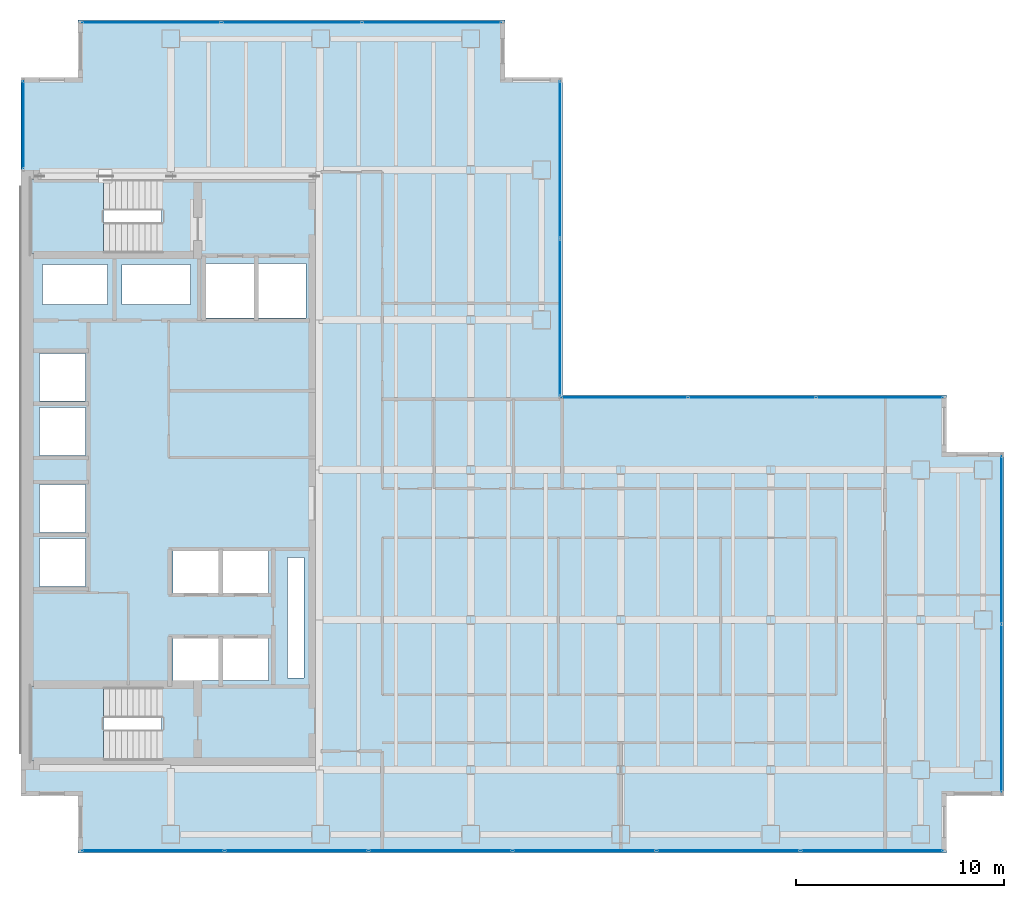
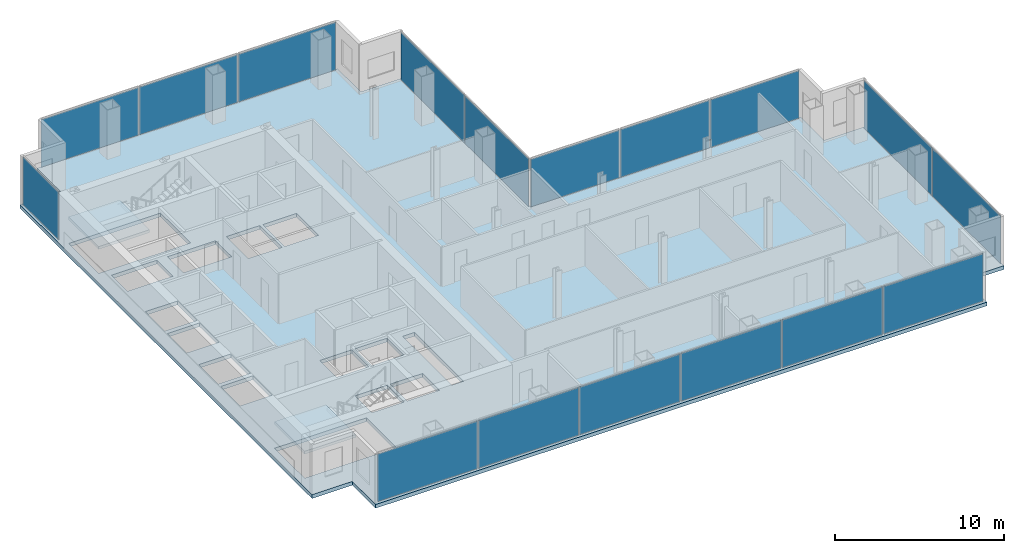
# One storey, part 19 of 24: 17 plates, 3 slabs, 15 openings, 8 elements without a shape of their own.
"""IFC4 building model written with IfcOpenShell, lengths in metres."""

from ifc_helpers import new_model, si_unit, direction, frame, origin, origin_2d, place, context, subcontext, project, spatial, polyline, rectangle, outline, extrude, material, layer, layer_set, type_object, element, aggregate, save


model = new_model("IFC4")

# Units and contexts
model_context = context("Model", 3, precision=1e-05, world=origin(), true_north=direction((0.0, 1.0)))
body_context = subcontext(model_context, "Body", "Model", "MODEL_VIEW")
ifc_project = project(units=[si_unit("LENGTHUNIT", "METRE"), si_unit("AREAUNIT", "SQUARE_METRE"), si_unit("VOLUMEUNIT", "CUBIC_METRE"), si_unit("PLANEANGLEUNIT", "RADIAN"), si_unit("MASSUNIT", "GRAM", prefix="KILO")], contexts=[model_context])

# Site, building, storey
site_placement = place(None, origin())
site = spatial("IfcSite", under=ifc_project, at=site_placement, CompositionType="ELEMENT")
building_placement = place(site_placement, origin())
building = spatial("IfcBuilding", under=site, at=building_placement, Name="Cobrela Telecom Tower", CompositionType="ELEMENT")
storey_placement = place(building_placement, frame((0.0, 0.0, 121.449951171875)))
storey = spatial("IfcBuildingStorey", under=building, at=storey_placement, Name="L30", CompositionType="ELEMENT", Elevation=121.449951171875)

# Curtain wall, plate
ifc_material_1 = material(Name="Anodized Bronze Aluminium 6063-T6", Category="aluminium")
curtain_wall_type = type_object("IfcCurtainWallType", Name="CW-SYS-TEL", PredefinedType="USERDEFINED", material=ifc_material_1)
curtain_wall_1_placement = place(storey_placement, origin())
curtain_wall_1 = element("IfcCurtainWall", 1, at=curtain_wall_1_placement, inside=storey, type_object=curtain_wall_type, Name="L30 Unitised Bronze Curtain Wall 04", ObjectType="UNITISED CURTAIN WALL", PredefinedType="USERDEFINED")
ifc_material_2 = material(Name="Solar-Control Bronze Low-E Glass", Category="glass")
ifc_layer_1 = layer(ifc_material_2, 0.035888671875)
ifc_layer_set_1 = layer_set([ifc_layer_1], Name="Solar-Control Bronze Low-E Glass")
plate_type = type_object("IfcPlateType", Name="CW-SYS-TEL-PNL", PredefinedType="CURTAIN_PANEL", material=ifc_layer_set_1)
plate_1_placement = place(storey_placement, frame((0.1201171875, 38.1650390625, 0.070068359375), z_axis=(0.0, 0.0, 1.0), x_axis=(0.0, 1.0, 0.0)))
plate_1 = element("IfcPlate", 2, at=plate_1_placement, type_object=plate_type, Name="CW-TEL panel 1.1", PredefinedType="CURTAIN_PANEL", context=body_context, shape_type="SweptSolid", body=[
    extrude(rectangle(XDim=4.179931640625, YDim=0.035888671875, at=origin_2d()), origin(), (0.0, 0.0, 1.0), 3.43994140625),
])
aggregate(curtain_wall_1, [plate_1])

# Curtain wall, plates
curtain_wall_2_placement = place(storey_placement, origin())
curtain_wall_2 = element("IfcCurtainWall", 3, at=curtain_wall_2_placement, inside=storey, type_object=curtain_wall_type, Name="L30 Unitised Bronze Curtain Wall 07", ObjectType="UNITISED CURTAIN WALL", PredefinedType="USERDEFINED")
plate_2_placement = place(storey_placement, frame((6.265380859375, 43.080078125, 0.070068359375), z_axis=(0.0, 0.0, 1.0), x_axis=(1.0, 0.0, 0.0)))
plate_2 = element("IfcPlate", 4, at=plate_2_placement, type_object=plate_type, Name="CW-TEL panel 1.1", PredefinedType="CURTAIN_PANEL", context=body_context, shape_type="SweptSolid", body=[
    extrude(rectangle(XDim=6.640869140625, YDim=0.035888671875, at=origin_2d()), origin(), (0.0, 0.0, 1.0), 3.43994140625),
])
plate_3_placement = place(storey_placement, frame((13.0, 43.080078125, 0.070068359375), z_axis=(0.0, 0.0, 1.0), x_axis=(1.0, 0.0, 0.0)))
plate_3 = element("IfcPlate", 5, at=plate_3_placement, type_object=plate_type, Name="CW-TEL panel 2.1", PredefinedType="CURTAIN_PANEL", context=body_context, shape_type="SweptSolid", body=[
    extrude(rectangle(XDim=6.67822265625, YDim=0.035888671875, at=origin_2d()), origin(), (0.0, 0.0, 1.0), 3.43994140625),
])
plate_4_placement = place(storey_placement, frame((19.734619140625, 43.080078125, 0.070068359375), z_axis=(0.0, 0.0, 1.0), x_axis=(1.0, 0.0, 0.0)))
plate_4 = element("IfcPlate", 6, at=plate_4_placement, type_object=plate_type, Name="CW-TEL panel 3.1", PredefinedType="CURTAIN_PANEL", context=body_context, shape_type="SweptSolid", body=[
    extrude(rectangle(XDim=6.640869140625, YDim=0.035888671875, at=origin_2d()), origin(), (0.0, 0.0, 1.0), 3.43994140625),
])
aggregate(curtain_wall_2, [plate_2, plate_3, plate_4])

curtain_wall_3_placement = place(storey_placement, origin())
curtain_wall_3 = element("IfcCurtainWall", 7, at=curtain_wall_3_placement, inside=storey, type_object=curtain_wall_type, Name="L30 Unitised Bronze Curtain Wall 10", ObjectType="UNITISED CURTAIN WALL", PredefinedType="USERDEFINED")
plate_5_placement = place(storey_placement, frame((25.8798828125, 36.498779296875, 0.070068359375), z_axis=(0.0, 0.0, 1.0), x_axis=(0.0, -1.0, 0.0)))
plate_5 = element("IfcPlate", 8, at=plate_5_placement, type_object=plate_type, Name="CW-TEL panel 1.1", PredefinedType="CURTAIN_PANEL", context=body_context, shape_type="SweptSolid", body=[
    extrude(rectangle(XDim=7.512451171875, YDim=0.035888671875, at=origin_2d()), origin(), (0.0, 0.0, 1.0), 3.43994140625),
])
plate_6_placement = place(storey_placement, frame((25.8798828125, 28.9111328125, 0.070068359375), z_axis=(0.0, 0.0, 1.0), x_axis=(0.0, -1.0, 0.0)))
plate_6 = element("IfcPlate", 9, at=plate_6_placement, type_object=plate_type, Name="CW-TEL panel 2.1", PredefinedType="CURTAIN_PANEL", context=body_context, shape_type="SweptSolid", body=[
    extrude(rectangle(XDim=7.512451171875, YDim=0.035888671875, at=origin_2d()), origin(), (0.0, 0.0, 1.0), 3.43994140625),
])
aggregate(curtain_wall_3, [plate_5, plate_6])

curtain_wall_4_placement = place(storey_placement, origin())
curtain_wall_4 = element("IfcCurtainWall", 10, at=curtain_wall_4_placement, inside=storey, type_object=curtain_wall_type, Name="L30 Unitised Bronze Curtain Wall 11", ObjectType="UNITISED CURTAIN WALL", PredefinedType="USERDEFINED")
plate_7_placement = place(storey_placement, frame((28.9736328125, 25.080078125, 0.070068359375), z_axis=(0.0, 0.0, 1.0), x_axis=(1.0, 0.0, 0.0)))
plate_7 = element("IfcPlate", 11, at=plate_7_placement, type_object=plate_type, Name="CW-TEL panel 1.1", PredefinedType="CURTAIN_PANEL", context=body_context, shape_type="SweptSolid", body=[
    extrude(rectangle(XDim=6.03759765625, YDim=0.035888671875, at=origin_2d()), origin(), (0.0, 0.0, 1.0), 3.43994140625),
])
plate_8_placement = place(storey_placement, frame((35.10498046875, 25.080078125, 0.070068359375), z_axis=(0.0, 0.0, 1.0), x_axis=(1.0, 0.0, 0.0)))
plate_8 = element("IfcPlate", 12, at=plate_8_placement, type_object=plate_type, Name="CW-TEL panel 2.1", PredefinedType="CURTAIN_PANEL", context=body_context, shape_type="SweptSolid", body=[
    extrude(rectangle(XDim=6.074951171875, YDim=0.035888671875, at=origin_2d()), origin(), (0.0, 0.0, 1.0), 3.43994140625),
])
plate_9_placement = place(storey_placement, frame((41.236328125, 25.080078125, 0.070068359375), z_axis=(0.0, 0.0, 1.0), x_axis=(1.0, 0.0, 0.0)))
plate_9 = element("IfcPlate", 13, at=plate_9_placement, type_object=plate_type, Name="CW-TEL panel 3.1", PredefinedType="CURTAIN_PANEL", context=body_context, shape_type="SweptSolid", body=[
    extrude(rectangle(XDim=6.03759765625, YDim=0.035888671875, at=origin_2d()), origin(), (0.0, 0.0, 1.0), 3.43994140625),
])
aggregate(curtain_wall_4, [plate_7, plate_8, plate_9])

curtain_wall_5_placement = place(storey_placement, origin())
curtain_wall_5 = element("IfcCurtainWall", 14, at=curtain_wall_5_placement, inside=storey, type_object=curtain_wall_type, Name="L30 Unitised Bronze Curtain Wall 14", ObjectType="UNITISED CURTAIN WALL", PredefinedType="USERDEFINED")
plate_10_placement = place(storey_placement, frame((47.080078125, 18.246337890625, 0.070068359375), z_axis=(0.0, 0.0, 1.0), x_axis=(0.0, -1.0, 0.0)))
plate_10 = element("IfcPlate", 15, at=plate_10_placement, type_object=plate_type, Name="CW-TEL panel 1.1", PredefinedType="CURTAIN_PANEL", context=body_context, shape_type="SweptSolid", body=[
    extrude(rectangle(XDim=8.017578125, YDim=0.035888671875, at=origin_2d()), origin(), (0.0, 0.0, 1.0), 3.43994140625),
])
plate_11_placement = place(storey_placement, frame((47.080078125, 10.15380859375, 0.070068359375), z_axis=(0.0, 0.0, 1.0), x_axis=(0.0, -1.0, 0.0)))
plate_11 = element("IfcPlate", 16, at=plate_11_placement, type_object=plate_type, Name="CW-TEL panel 2.1", PredefinedType="CURTAIN_PANEL", context=body_context, shape_type="SweptSolid", body=[
    extrude(rectangle(XDim=8.017578125, YDim=0.035888671875, at=origin_2d()), origin(), (0.0, 0.0, 1.0), 3.43994140625),
])
aggregate(curtain_wall_5, [plate_10, plate_11])

curtain_wall_6_placement = place(storey_placement, origin())
curtain_wall_6 = element("IfcCurtainWall", 17, at=curtain_wall_6_placement, inside=storey, type_object=curtain_wall_type, Name="L30 Unitised Bronze Curtain Wall 17", ObjectType="UNITISED CURTAIN WALL", PredefinedType="USERDEFINED")
plate_12_placement = place(storey_placement, frame((40.856201171875, 3.320068359375, 0.070068359375), z_axis=(0.0, 0.0, 1.0), x_axis=(-1.0, 0.0, 0.0)))
plate_12 = element("IfcPlate", 18, at=plate_12_placement, type_object=plate_type, Name="CW-TEL panel 1.1", PredefinedType="CURTAIN_PANEL", context=body_context, shape_type="SweptSolid", body=[
    extrude(rectangle(XDim=6.797607421875, YDim=0.035888671875, at=origin_2d()), origin(), (0.0, 0.0, 1.0), 3.43994140625),
])
plate_13_placement = place(storey_placement, frame((33.965087890625, 3.320068359375, 0.070068359375), z_axis=(0.0, 0.0, 1.0), x_axis=(-1.0, 0.0, 0.0)))
plate_13 = element("IfcPlate", 19, at=plate_13_placement, type_object=plate_type, Name="CW-TEL panel 2.1", PredefinedType="CURTAIN_PANEL", context=body_context, shape_type="SweptSolid", body=[
    extrude(rectangle(XDim=6.8349609375, YDim=0.035888671875, at=origin_2d()), origin(), (0.0, 0.0, 1.0), 3.43994140625),
])
plate_14_placement = place(storey_placement, frame((27.054931640625, 3.320068359375, 0.070068359375), z_axis=(0.0, 0.0, 1.0), x_axis=(-1.0, 0.0, 0.0)))
plate_14 = element("IfcPlate", 20, at=plate_14_placement, type_object=plate_type, Name="CW-TEL panel 3.1", PredefinedType="CURTAIN_PANEL", context=body_context, shape_type="SweptSolid", body=[
    extrude(rectangle(XDim=6.8349609375, YDim=0.035888671875, at=origin_2d()), origin(), (0.0, 0.0, 1.0), 3.43994140625),
])
plate_15_placement = place(storey_placement, frame((20.14501953125, 3.320068359375, 0.070068359375), z_axis=(0.0, 0.0, 1.0), x_axis=(-1.0, 0.0, 0.0)))
plate_15 = element("IfcPlate", 21, at=plate_15_placement, type_object=plate_type, Name="CW-TEL panel 4.1", PredefinedType="CURTAIN_PANEL", context=body_context, shape_type="SweptSolid", body=[
    extrude(rectangle(XDim=6.8349609375, YDim=0.035888671875, at=origin_2d()), origin(), (0.0, 0.0, 1.0), 3.43994140625),
])
plate_16_placement = place(storey_placement, frame((13.235107421875, 3.320068359375, 0.070068359375), z_axis=(0.0, 0.0, 1.0), x_axis=(-1.0, 0.0, 0.0)))
plate_16 = element("IfcPlate", 22, at=plate_16_placement, type_object=plate_type, Name="CW-TEL panel 5.1", PredefinedType="CURTAIN_PANEL", context=body_context, shape_type="SweptSolid", body=[
    extrude(rectangle(XDim=6.8349609375, YDim=0.035888671875, at=origin_2d()), origin(), (0.0, 0.0, 1.0), 3.43994140625),
])
plate_17_placement = place(storey_placement, frame((6.34375, 3.320068359375, 0.070068359375), z_axis=(0.0, 0.0, 1.0), x_axis=(-1.0, 0.0, 0.0)))
plate_17 = element("IfcPlate", 23, at=plate_17_placement, type_object=plate_type, Name="CW-TEL panel 6.1", PredefinedType="CURTAIN_PANEL", context=body_context, shape_type="SweptSolid", body=[
    extrude(rectangle(XDim=6.797607421875, YDim=0.035888671875, at=origin_2d()), origin(), (0.0, 0.0, 1.0), 3.43994140625),
])
aggregate(curtain_wall_6, [plate_12, plate_13, plate_14, plate_15, plate_16, plate_17])

# Slab, openings
ifc_material_3 = material(Name="Concrete C40/50", Category="concrete")
ifc_layer_2 = layer(ifc_material_3, 0.27001953125)
ifc_layer_set_2 = layer_set([ifc_layer_2], Name="Concrete C40/50")
slab_type_1 = type_object("IfcSlabType", Name="SLAB-FLR-270", PredefinedType="FLOOR", material=ifc_layer_set_2)
slab_1_placement = place(storey_placement, frame((0.0, 0.0, -0.27001953125)))
slab_1 = element("IfcSlab", 24, at=slab_1_placement, inside=storey, type_object=slab_type_1, Name="L30 Structural Floor Slab", PredefinedType="FLOOR", context=body_context, shape_type="SweptSolid", body=[
    extrude(outline(polyline([(2.75, 3.199951171875), (44.449951171875, 3.199951171875), (44.449951171875, 5.949951171875), (47.199951171875, 5.949951171875), (47.199951171875, 22.449951171875), (44.449951171875, 22.449951171875), (44.449951171875, 25.199951171875), (26.0, 25.199951171875), (26.0, 40.449951171875), (23.25, 40.449951171875), (23.25, 43.199951171875), (2.75, 43.199951171875), (2.75, 40.449951171875), (0.0, 40.449951171875), (0.0, 5.949951171875), (2.75, 5.949951171875), (2.75, 3.199951171875)])), origin(), (0.0, 0.0, 1.0), 0.27001953125),
])
opening_1_placement = place(slab_1_placement, frame((0.0, 0.0, -0.02001953125)))
element("IfcOpeningElement", 25, at=opening_1_placement, cuts=slab_1, Name="Slab Shaft Opening SLAB-L30-MAIN.1", PredefinedType="OPENING", context=body_context, shape_type="SweptSolid", body=[
    extrude(outline(polyline([(8.89990234375, 28.89990234375), (11.199951171875, 28.89990234375), (11.199951171875, 31.5), (8.89990234375, 31.5), (8.89990234375, 28.89990234375)])), origin(), (0.0, 0.0, 1.0), 0.31005859375),
])
opening_2_placement = place(slab_1_placement, frame((0.0, 0.0, -0.02001953125)))
element("IfcOpeningElement", 26, at=opening_2_placement, cuts=slab_1, Name="Slab Shaft Opening SLAB-L30-MAIN.2", PredefinedType="OPENING", context=body_context, shape_type="SweptSolid", body=[
    extrude(outline(polyline([(11.39990234375, 28.89990234375), (13.699951171875, 28.89990234375), (13.699951171875, 31.5), (11.39990234375, 31.5), (11.39990234375, 28.89990234375)])), origin(), (0.0, 0.0, 1.0), 0.31005859375),
])
opening_3_placement = place(slab_1_placement, frame((0.0, 0.0, -0.02001953125)))
element("IfcOpeningElement", 27, at=opening_3_placement, cuts=slab_1, Name="Slab Shaft Opening SLAB-L30-MAIN.3", PredefinedType="OPENING", context=body_context, shape_type="SweptSolid", body=[
    extrude(outline(polyline([(7.300048828125, 15.699951171875), (9.5, 15.699951171875), (9.5, 17.699951171875), (7.300048828125, 17.699951171875), (7.300048828125, 15.699951171875)])), origin(), (0.0, 0.0, 1.0), 0.31005859375),
])
opening_4_placement = place(slab_1_placement, frame((0.0, 0.0, -0.02001953125)))
element("IfcOpeningElement", 28, at=opening_4_placement, cuts=slab_1, Name="Slab Shaft Opening SLAB-L30-MAIN.4", PredefinedType="OPENING", context=body_context, shape_type="SweptSolid", body=[
    extrude(outline(polyline([(9.699951171875, 15.699951171875), (11.89990234375, 15.699951171875), (11.89990234375, 17.699951171875), (9.699951171875, 17.699951171875), (9.699951171875, 15.699951171875)])), origin(), (0.0, 0.0, 1.0), 0.31005859375),
])
opening_5_placement = place(slab_1_placement, frame((0.0, 0.0, -0.02001953125)))
element("IfcOpeningElement", 29, at=opening_5_placement, cuts=slab_1, Name="Slab Shaft Opening SLAB-L30-MAIN.5", PredefinedType="OPENING", context=body_context, shape_type="SweptSolid", body=[
    extrude(outline(polyline([(7.300048828125, 11.5), (9.5, 11.5), (9.5, 13.5), (7.300048828125, 13.5), (7.300048828125, 11.5)])), origin(), (0.0, 0.0, 1.0), 0.31005859375),
])
opening_6_placement = place(slab_1_placement, frame((0.0, 0.0, -0.02001953125)))
element("IfcOpeningElement", 30, at=opening_6_placement, cuts=slab_1, Name="Slab Shaft Opening SLAB-L30-MAIN.6", PredefinedType="OPENING", context=body_context, shape_type="SweptSolid", body=[
    extrude(outline(polyline([(9.699951171875, 11.5), (11.89990234375, 11.5), (11.89990234375, 13.5), (9.699951171875, 13.5), (9.699951171875, 11.5)])), origin(), (0.0, 0.0, 1.0), 0.31005859375),
])
opening_7_placement = place(slab_1_placement, frame((0.0, 0.0, -0.02001953125)))
element("IfcOpeningElement", 31, at=opening_7_placement, cuts=slab_1, Name="Slab Shaft Opening SLAB-L30-MAIN.7", PredefinedType="OPENING", context=body_context, shape_type="SweptSolid", body=[
    extrude(outline(polyline([(0.89990234375, 16.0), (3.10009765625, 16.0), (3.10009765625, 18.300048828125), (0.89990234375, 18.300048828125), (0.89990234375, 16.0)])), origin(), (0.0, 0.0, 1.0), 0.31005859375),
])
opening_8_placement = place(slab_1_placement, frame((0.0, 0.0, -0.02001953125)))
element("IfcOpeningElement", 32, at=opening_8_placement, cuts=slab_1, Name="Slab Shaft Opening SLAB-L30-MAIN.8", PredefinedType="OPENING", context=body_context, shape_type="SweptSolid", body=[
    extrude(outline(polyline([(0.89990234375, 18.60009765625), (3.10009765625, 18.60009765625), (3.10009765625, 20.89990234375), (0.89990234375, 20.89990234375), (0.89990234375, 18.60009765625)])), origin(), (0.0, 0.0, 1.0), 0.31005859375),
])
opening_9_placement = place(slab_1_placement, frame((0.0, 0.0, -0.02001953125)))
element("IfcOpeningElement", 33, at=opening_9_placement, cuts=slab_1, Name="Slab Shaft Opening SLAB-L30-MAIN.9", PredefinedType="OPENING", context=body_context, shape_type="SweptSolid", body=[
    extrude(outline(polyline([(0.89990234375, 22.300048828125), (3.10009765625, 22.300048828125), (3.10009765625, 24.60009765625), (0.89990234375, 24.60009765625), (0.89990234375, 22.300048828125)])), origin(), (0.0, 0.0, 1.0), 0.31005859375),
])
opening_10_placement = place(slab_1_placement, frame((0.0, 0.0, -0.02001953125)))
element("IfcOpeningElement", 34, at=opening_10_placement, cuts=slab_1, Name="Slab Shaft Opening SLAB-L30-MAIN.10", PredefinedType="OPENING", context=body_context, shape_type="SweptSolid", body=[
    extrude(outline(polyline([(0.89990234375, 24.89990234375), (3.10009765625, 24.89990234375), (3.10009765625, 27.199951171875), (0.89990234375, 27.199951171875), (0.89990234375, 24.89990234375)])), origin(), (0.0, 0.0, 1.0), 0.31005859375),
])
opening_11_placement = place(slab_1_placement, frame((0.0, 0.0, -0.02001953125)))
element("IfcOpeningElement", 35, at=opening_11_placement, cuts=slab_1, Name="Slab Shaft Opening SLAB-L30-MAIN.11", PredefinedType="OPENING", context=body_context, shape_type="SweptSolid", body=[
    extrude(outline(polyline([(1.050048828125, 29.550048828125), (4.14990234375, 29.550048828125), (4.14990234375, 31.449951171875), (1.050048828125, 31.449951171875), (1.050048828125, 29.550048828125)])), origin(), (0.0, 0.0, 1.0), 0.31005859375),
])
opening_12_placement = place(slab_1_placement, frame((0.0, 0.0, -0.02001953125)))
element("IfcOpeningElement", 36, at=opening_12_placement, cuts=slab_1, Name="Slab Shaft Opening SLAB-L30-MAIN.12", PredefinedType="OPENING", context=body_context, shape_type="SweptSolid", body=[
    extrude(outline(polyline([(4.85009765625, 29.550048828125), (8.14990234375, 29.550048828125), (8.14990234375, 31.449951171875), (4.85009765625, 31.449951171875), (4.85009765625, 29.550048828125)])), origin(), (0.0, 0.0, 1.0), 0.31005859375),
])
opening_13_placement = place(slab_1_placement, frame((0.0, 0.0, -0.02001953125)))
element("IfcOpeningElement", 37, at=opening_13_placement, cuts=slab_1, Name="Slab Shaft Opening SLAB-L30-MAIN.13", PredefinedType="OPENING", context=body_context, shape_type="SweptSolid", body=[
    extrude(outline(polyline([(12.800048828125, 11.60009765625), (13.60009765625, 11.60009765625), (13.60009765625, 17.39990234375), (12.800048828125, 17.39990234375), (12.800048828125, 11.60009765625)])), origin(), (0.0, 0.0, 1.0), 0.31005859375),
])
opening_14_placement = place(slab_1_placement, frame((0.0, 0.0, -0.02001953125)))
element("IfcOpeningElement", 38, at=opening_14_placement, cuts=slab_1, Name="Slab Shaft Opening SLAB-L30-MAIN.14", PredefinedType="OPENING", context=body_context, shape_type="SweptSolid", body=[
    extrude(outline(polyline([(6.7548828125, 35.550048828125), (0.47998046875, 35.550048828125), (0.47998046875, 32.0), (6.7548828125, 32.0), (6.7548828125, 35.550048828125)])), origin(), (0.0, 0.0, 1.0), 0.31005859375),
])
opening_15_placement = place(slab_1_placement, frame((0.0, 0.0, -0.02001953125)))
element("IfcOpeningElement", 39, at=opening_15_placement, cuts=slab_1, Name="Slab Shaft Opening SLAB-L30-MAIN.15", PredefinedType="OPENING", context=body_context, shape_type="SweptSolid", body=[
    extrude(outline(polyline([(6.7548828125, 11.199951171875), (0.47998046875, 11.199951171875), (0.47998046875, 7.64990234375), (6.7548828125, 7.64990234375), (6.7548828125, 11.199951171875)])), origin(), (0.0, 0.0, 1.0), 0.31005859375),
])

# Stair, slab
stair_type = type_object("IfcStairType", Name="STAIR-CORE", PredefinedType="HALF_TURN_STAIR", material=ifc_material_3)
stair_1_placement = place(storey_placement, origin())
stair_1 = element("IfcStair", 40, at=stair_1_placement, inside=storey, type_object=stair_type, Name="L30 Smokeproof Exit Stair ST1", PredefinedType="HALF_TURN_STAIR")
ifc_layer_3 = layer(ifc_material_3, 0.199951171875)
ifc_layer_set_3 = layer_set([ifc_layer_3], Name="Concrete C40/50")
slab_type_2 = type_object("IfcSlabType", Name="SLAB-LAND-200", PredefinedType="LANDING", material=ifc_layer_set_3)
slab_2_placement = place(storey_placement, frame((0.0, 0.0, 1.72509765625)))
slab_2 = element("IfcSlab", 41, at=slab_2_placement, type_object=slab_type_2, Name="ST1 landing 1", PredefinedType="LANDING", context=body_context, shape_type="SweptSolid", body=[
    extrude(outline(polyline([(3.969970703125, 35.550048828125), (0.47998046875, 35.550048828125), (0.47998046875, 32.0), (3.969970703125, 32.0), (3.969970703125, 35.550048828125)])), origin(), (0.0, 0.0, 1.0), 0.199951171875),
])
aggregate(stair_1, [slab_2])

stair_2_placement = place(storey_placement, origin())
stair_2 = element("IfcStair", 42, at=stair_2_placement, inside=storey, type_object=stair_type, Name="L30 Smokeproof Exit Stair ST2", PredefinedType="HALF_TURN_STAIR")
slab_3_placement = place(storey_placement, frame((0.0, 0.0, 1.72509765625)))
slab_3 = element("IfcSlab", 43, at=slab_3_placement, type_object=slab_type_2, Name="ST2 landing 1", PredefinedType="LANDING", context=body_context, shape_type="SweptSolid", body=[
    extrude(outline(polyline([(3.969970703125, 11.199951171875), (0.47998046875, 11.199951171875), (0.47998046875, 7.64990234375), (3.969970703125, 7.64990234375), (3.969970703125, 11.199951171875)])), origin(), (0.0, 0.0, 1.0), 0.199951171875),
])
aggregate(stair_2, [slab_3])

save(model, "model.ifc")
